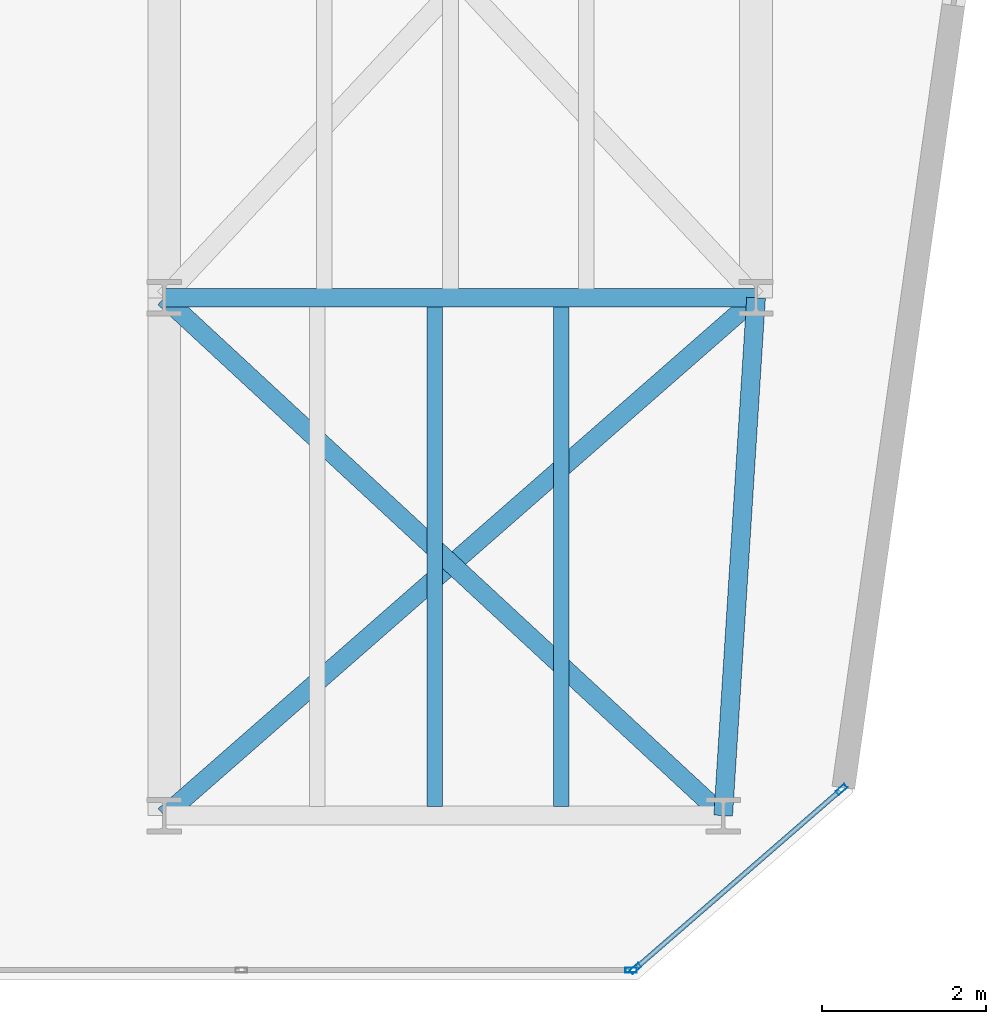
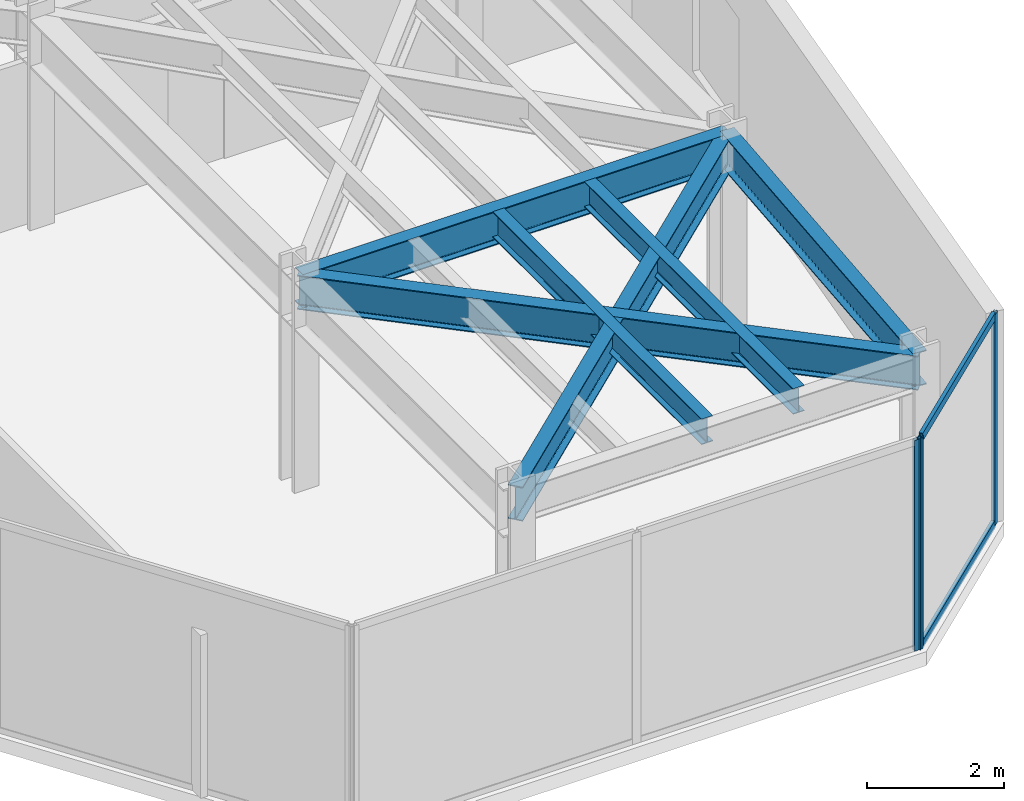
# One storey, part 19 of 26: 6 beams, 5 members, 2 elements without a shape of their own.
"""IFC4 building model written with IfcOpenShell, lengths in metres."""

from ifc_helpers import new_model, si_unit, direction, frame, origin, origin_2d, place, context, subcontext, project, spatial, hollow_rectangle, i_section, extrude, material, layer, layer_set, material_profile, profile_set, type_object, element, aggregate, save


model = new_model("IFC4")

# Units and contexts
model_context = context("Model", 3, precision=1e-05, world=origin(), true_north=direction((0.0, 1.0)))
body_context = subcontext(model_context, "Body", "Model", "MODEL_VIEW")
ifc_project = project(units=[si_unit("LENGTHUNIT", "METRE"), si_unit("AREAUNIT", "SQUARE_METRE"), si_unit("VOLUMEUNIT", "CUBIC_METRE"), si_unit("PLANEANGLEUNIT", "RADIAN"), si_unit("MASSUNIT", "GRAM", prefix="KILO")], contexts=[model_context])

# Site, building, storey
site_placement = place(None, origin())
site = spatial("IfcSite", under=ifc_project, at=site_placement, CompositionType="ELEMENT")
building_placement = place(site_placement, origin())
building = spatial("IfcBuilding", under=site, at=building_placement, Name="Kravanh Interchange Tower", CompositionType="ELEMENT")
storey_placement = place(building_placement, frame((0.0, 0.0, 144.0)))
storey = spatial("IfcBuildingStorey", under=building, at=storey_placement, Name="L34", CompositionType="ELEMENT", Elevation=144.0)

# Curtain wall, members
ifc_material_1 = material(Name="Anodised Bronze Aluminium", Category="aluminium")
ifc_layer = layer(ifc_material_1, 0.179931640625)
ifc_layer_set = layer_set([ifc_layer], Name="Unitised Curtain Wall System CW-Z2 Mid Office")
curtain_wall_type = type_object("IfcCurtainWallType", Name="Unitised Curtain Wall System CW-Z2 Mid Office", PredefinedType="NOTDEFINED", material=ifc_layer_set)
curtain_wall_1_placement = place(storey_placement, origin())
curtain_wall_1 = element("IfcCurtainWall", 1, at=curtain_wall_1_placement, inside=storey, type_object=curtain_wall_type, Name="L34 Unitised Curtain Wall CW-L34-02", PredefinedType="NOTDEFINED")
ifc_material_2 = material(Name="Anodised Bronze Aluminium", Category="aluminium")
ifc_material_profile_1 = material_profile(ifc_material_2, hollow_rectangle(XDim=0.06005859375, YDim=0.139892578125, WallThickness=0.00390625, at=origin_2d()), Name="ALU60X140X4")
ifc_profile_set_1 = profile_set([ifc_material_profile_1], Name="Anodised Bronze Aluminium")
member_type_1 = type_object("IfcMemberType", Name="Curtain Wall Mullion ALU60X140X4 Bronze", PredefinedType="MULLION", material=ifc_profile_set_1)
member_1_placement = place(storey_placement, frame((64.239990234375, 8.51904296875, 0.0), z_axis=(0.0, 0.0, 1.0), x_axis=(0.656047665617, -0.754719458103, 0.0)))
member_1 = element("IfcMember", 2, at=member_1_placement, type_object=member_type_1, Name="CW-Z2 mullion 1", PredefinedType="MULLION", context=body_context, shape_type="SweptSolid", body=[
    extrude(hollow_rectangle(XDim=0.06005859375, YDim=0.139892578125, WallThickness=0.00390625, at=origin_2d()), origin(), (0.0, 0.0, 1.0), 3.75),
])
member_2_placement = place(storey_placement, frame((61.73291015625, 6.339599609375, 0.0), z_axis=(0.0, 0.0, 1.0), x_axis=(0.656047665617, -0.754719458103, 0.0)))
member_2 = element("IfcMember", 3, at=member_2_placement, type_object=member_type_1, Name="CW-Z2 mullion 2", PredefinedType="MULLION", context=body_context, shape_type="SweptSolid", body=[
    extrude(hollow_rectangle(XDim=0.06005859375, YDim=0.139892578125, WallThickness=0.00390625, at=origin_2d()), origin(), (0.0, 0.0, 1.0), 3.75),
])

# Curtain wall, member
curtain_wall_2_placement = place(storey_placement, origin())
curtain_wall_2 = element("IfcCurtainWall", 4, at=curtain_wall_2_placement, inside=storey, type_object=curtain_wall_type, Name="L34 Unitised Curtain Wall CW-L34-03", PredefinedType="NOTDEFINED")
member_3_placement = place(storey_placement, frame((61.68017578125, 6.320068359375, 0.0), z_axis=(0.0, 0.0, 1.0), x_axis=(0.0, -1.0, 0.0)))
member_3 = element("IfcMember", 5, at=member_3_placement, type_object=member_type_1, Name="CW-Z2 mullion 1", PredefinedType="MULLION", context=body_context, shape_type="SweptSolid", body=[
    extrude(hollow_rectangle(XDim=0.06005859375, YDim=0.139892578125, WallThickness=0.00390625, at=origin_2d()), origin(), (0.0, 0.0, 1.0), 3.75),
])
aggregate(curtain_wall_2, [member_3])

# Member
ifc_material_3 = material(Name="Anodised Bronze Aluminium", Category="aluminium")
ifc_material_profile_2 = material_profile(ifc_material_3, hollow_rectangle(XDim=0.06005859375, YDim=0.139892578125, WallThickness=0.00390625, at=origin_2d()), Name="ALU60X140X4")
ifc_profile_set_2 = profile_set([ifc_material_profile_2], Name="Anodised Bronze Aluminium")
member_type_2 = type_object("IfcMemberType", Name="Curtain Wall Transom ALU60X140X4 Bronze", PredefinedType="USERDEFINED", material=ifc_profile_set_2)
member_4_placement = place(storey_placement, frame((64.21728515625, 8.499267578125, 0.030029296875), z_axis=(-0.754742467432, -0.656021194669, 0.0), x_axis=(0.656021194669, -0.754742467432, 0.0)))
member_4 = element("IfcMember", 6, at=member_4_placement, type_object=member_type_2, Name="CW-Z2 transom 1.1", ObjectType="TRANSOM", PredefinedType="USERDEFINED", context=body_context, shape_type="SweptSolid", body=[
    extrude(hollow_rectangle(XDim=0.06005859375, YDim=0.139892578125, WallThickness=0.00390625, at=origin_2d()), origin(), (0.0, 0.0, 1.0), 3.261962890625),
])

member_5_placement = place(storey_placement, frame((64.21728515625, 8.499267578125, 3.719970703125), z_axis=(-0.754742467432, -0.656021194669, 0.0), x_axis=(0.656021194669, -0.754742467432, 0.0)))
member_5 = element("IfcMember", 7, at=member_5_placement, type_object=member_type_2, Name="CW-Z2 transom 1.2", ObjectType="TRANSOM", PredefinedType="USERDEFINED", context=body_context, shape_type="SweptSolid", body=[
    extrude(hollow_rectangle(XDim=0.06005859375, YDim=0.139892578125, WallThickness=0.00390625, at=origin_2d()), origin(), (0.0, 0.0, 1.0), 3.261962890625),
])

aggregate(curtain_wall_1, [member_1, member_2, member_4, member_5])

# Beams
ifc_material_4 = material(Name="Structural Steel S355", Category="steel")
ifc_material_profile_3 = material_profile(ifc_material_4, i_section(OverallWidth=0.18994140625, OverallDepth=0.45703125, WebThickness=0.009033203125, FlangeThickness=0.014404296875, FilletRadius=0.01806640625, at=origin_2d()), Name="W18X50")
ifc_profile_set_3 = profile_set([ifc_material_profile_3], Name="Structural Steel S355")
beam_type_1 = type_object("IfcBeamType", Name="Floor Joist W18X50 Structural Steel S355", PredefinedType="JOIST", material=ifc_profile_set_3)
for number, where, z_axis, x_axis, name in (
    (8, (59.2900390625, 8.30908203125, 3.521484375), (0.0, 1.0, 0.0), (-1.0, 0.0, 0.0), "L34 Secondary Floor Joist 5"),
    (9, (60.830078125, 8.30908203125, 3.521484375), (0.0, 1.0, 0.0), (-1.0, 0.0, 0.0), "L34 Secondary Floor Joist 6"),
):
    element("IfcBeam", number, at=place(storey_placement, frame(where, z_axis=z_axis, x_axis=x_axis)), inside=storey, type_object=beam_type_1, Name=name, PredefinedType="JOIST", context=body_context, shape_type="SweptSolid", body=[
        extrude(i_section(OverallWidth=0.18994140625, OverallDepth=0.45703125, WebThickness=0.009033203125, FlangeThickness=0.014404296875, FilletRadius=0.01806640625, at=origin_2d()), origin(), (0.0, 0.0, 1.0), 6.08203125),
    ])
ifc_material_5 = material(Name="Structural Steel S355", Category="steel")
ifc_material_profile_4 = material_profile(ifc_material_5, i_section(OverallWidth=0.22802734375, OverallDepth=0.60791015625, WebThickness=0.01123046875, FlangeThickness=0.017333984375, FilletRadius=0.02197265625, at=origin_2d()), Name="W24X76")
ifc_profile_set_4 = profile_set([ifc_material_profile_4], Name="Structural Steel S355")
beam_type_2 = type_object("IfcBeamType", Name="Floor Spandrel W24X76 Structural Steel S355", PredefinedType="SPANDREL", material=ifc_profile_set_4)
beam_1_placement = place(storey_placement, frame((56.0, 8.199951171875, 3.446044921875), z_axis=(0.752571952274, 0.658510027752, 0.0), x_axis=(-0.658510027752, 0.752571952274, 0.0)))
element("IfcBeam", 10, at=beam_1_placement, inside=storey, type_object=beam_type_2, Name="L34 Perimeter Spandrel 97", PredefinedType="SPANDREL", context=body_context, shape_type="SweptSolid", body=[
    extrude(i_section(OverallWidth=0.22802734375, OverallDepth=0.60791015625, WebThickness=0.01123046875, FlangeThickness=0.017333984375, FilletRadius=0.02197265625, at=origin_2d()), origin(), (0.0, 0.0, 1.0), 9.567138671875),
])
beam_2_placement = place(storey_placement, frame((62.800048828125, 8.199951171875, 3.446044921875), z_axis=(0.063348576418, 0.99799146182, 0.0), x_axis=(-0.99799146182, 0.063348576418, 0.0)))
element("IfcBeam", 11, at=beam_2_placement, inside=storey, type_object=beam_type_2, Name="L34 Perimeter Spandrel 98", PredefinedType="SPANDREL", context=body_context, shape_type="SweptSolid", body=[
    extrude(i_section(OverallWidth=0.22802734375, OverallDepth=0.60791015625, WebThickness=0.01123046875, FlangeThickness=0.017333984375, FilletRadius=0.02197265625, at=origin_2d()), origin(), (0.0, 0.0, 1.0), 6.312744140625),
])
beam_3_placement = place(storey_placement, frame((62.800048828125, 8.199951171875, 3.446044921875), z_axis=(-0.733561267923, 0.679623326706, 0.0), x_axis=(-0.679623326706, -0.733561267923, 0.0)))
element("IfcBeam", 12, at=beam_3_placement, inside=storey, type_object=beam_type_2, Name="L34 Perimeter Spandrel 99", PredefinedType="SPANDREL", context=body_context, shape_type="SweptSolid", body=[
    extrude(i_section(OverallWidth=0.22802734375, OverallDepth=0.60791015625, WebThickness=0.01123046875, FlangeThickness=0.017333984375, FilletRadius=0.02197265625, at=origin_2d()), origin(), (0.0, 0.0, 1.0), 9.27001953125),
])
beam_4_placement = place(storey_placement, frame((56.0, 14.5, 3.446044921875), z_axis=(1.0, 0.0, 0.0), x_axis=(0.0, 1.0, 0.0)))
element("IfcBeam", 13, at=beam_4_placement, inside=storey, type_object=beam_type_2, Name="L34 Perimeter Spandrel 103", PredefinedType="SPANDREL", context=body_context, shape_type="SweptSolid", body=[
    extrude(i_section(OverallWidth=0.22802734375, OverallDepth=0.60791015625, WebThickness=0.01123046875, FlangeThickness=0.017333984375, FilletRadius=0.02197265625, at=origin_2d()), origin(), (0.0, 0.0, 1.0), 7.199951171875),
])

save(model, "model.ifc")
